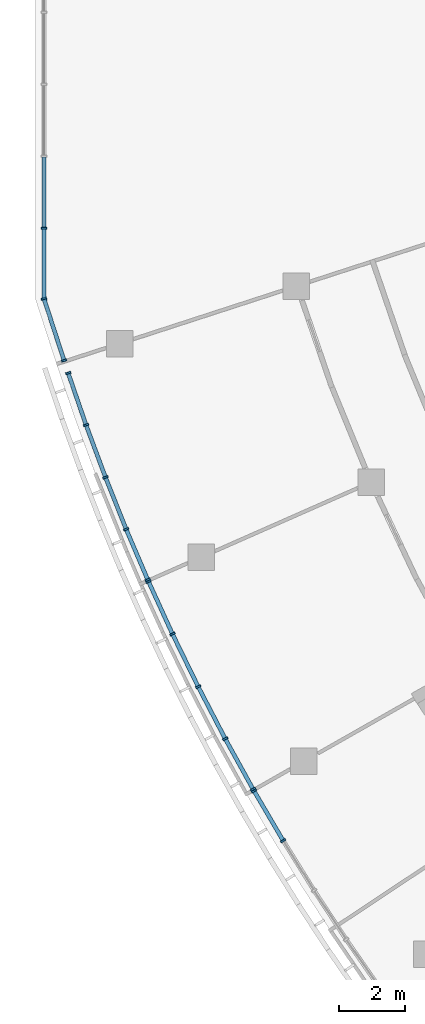
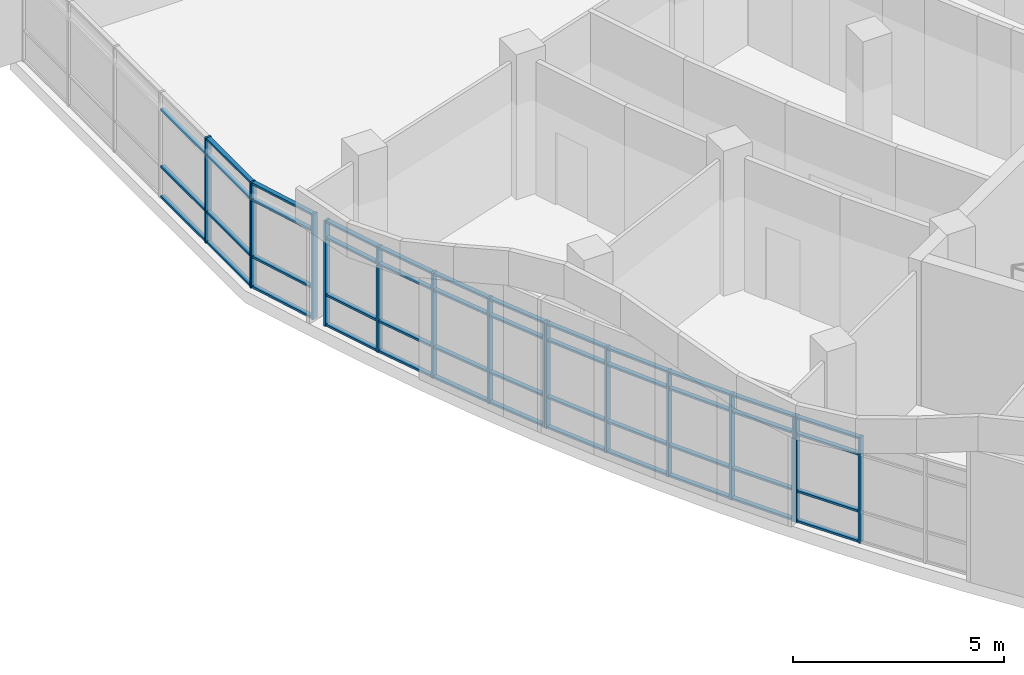
# One storey, part 19 of 109: 63 members, 5 elements without a shape of their own.
"""IFC4 building model written with IfcOpenShell, lengths in metres."""

from ifc_helpers import new_model, si_unit, direction, frame, origin, origin_2d, place, context, subcontext, project, spatial, rectangle, extrude, material, material_profile, profile_set, type_object, element, aggregate, save


model = new_model("IFC4")

# Units and contexts
model_context = context("Model", 3, precision=1e-05, world=origin(), true_north=direction((0.0, 1.0)))
body_context = subcontext(model_context, "Body", "Model", "MODEL_VIEW")
ifc_project = project(units=[si_unit("LENGTHUNIT", "METRE"), si_unit("AREAUNIT", "SQUARE_METRE"), si_unit("VOLUMEUNIT", "CUBIC_METRE"), si_unit("PLANEANGLEUNIT", "RADIAN"), si_unit("MASSUNIT", "GRAM", prefix="KILO")], contexts=[model_context])

# Site, building, storey
site_placement = place(None, origin())
site = spatial("IfcSite", under=ifc_project, at=site_placement, CompositionType="ELEMENT")
building_placement = place(site_placement, origin())
building = spatial("IfcBuilding", under=site, at=building_placement, Name="Bougainvillea Quay General Hospital", CompositionType="ELEMENT")
storey_placement = place(building_placement, frame((0.0, 0.0, 12.60009765625)))
storey = spatial("IfcBuildingStorey", under=building, at=storey_placement, Name="L02", CompositionType="ELEMENT", Elevation=12.60009765625)

# Curtain wall, members
ifc_material_1 = material(Name="Aluminium curtain wall system, powder-coated glazed", Category="aluminium")
curtain_wall_type_1 = type_object("IfcCurtainWallType", Name="Unitised curtain wall CW-2172", PredefinedType="NOTDEFINED", material=ifc_material_1)
curtain_wall_1_placement = place(storey_placement, origin())
curtain_wall_1 = element("IfcCurtainWall", 1, at=curtain_wall_1_placement, inside=storey, type_object=curtain_wall_type_1, Name="CW-AE 00", PredefinedType="NOTDEFINED")
ifc_material_2 = material(Name="Aluminium mullion, powder-coated charcoal", Category="aluminium")
ifc_material_profile_1 = material_profile(ifc_material_2, rectangle(XDim=0.159912109375, YDim=0.06005859375, at=origin_2d()))
ifc_profile_set_1 = profile_set([ifc_material_profile_1], Name="Aluminium mullion, powder-coated charcoal")
member_type_1 = type_object("IfcMemberType", Name="Curtain wall mullion 160x60", PredefinedType="MULLION", material=ifc_profile_set_1)
member_1_placement = place(storey_placement, frame((42.25, 108.4677734375, 0.0), z_axis=(0.0, 0.0, 1.0), x_axis=(1.0, 0.0, 0.0)))
member_1 = element("IfcMember", 2, at=member_1_placement, type_object=member_type_1, Name="CW-AE mullion 5", PredefinedType="MULLION", context=body_context, shape_type="SweptSolid", body=[
    extrude(rectangle(XDim=0.159912109375, YDim=0.06005859375, at=origin_2d()), origin(), (0.0, 0.0, 1.0), 3.0498046875),
])
member_2_placement = place(storey_placement, frame((42.25, 106.325927734375, 0.0), z_axis=(0.0, 0.0, 1.0), x_axis=(1.0, 0.0, 0.0)))
member_2 = element("IfcMember", 3, at=member_2_placement, type_object=member_type_1, Name="CW-AE mullion 6", PredefinedType="MULLION", context=body_context, shape_type="SweptSolid", body=[
    extrude(rectangle(XDim=0.159912109375, YDim=0.06005859375, at=origin_2d()), origin(), (0.0, 0.0, 1.0), 3.0498046875),
])

curtain_wall_type_2 = type_object("IfcCurtainWallType", Name="Unitised curtain wall CW-2027", PredefinedType="NOTDEFINED", material=ifc_material_1)
curtain_wall_2_placement = place(storey_placement, origin())
curtain_wall_2 = element("IfcCurtainWall", 4, at=curtain_wall_2_placement, inside=storey, type_object=curtain_wall_type_2, Name="CW-AE 00", PredefinedType="NOTDEFINED")
member_3_placement = place(storey_placement, frame((42.2470703125, 106.3447265625, 0.0), z_axis=(0.0, 0.0, 1.0), x_axis=(0.951073957858, 0.30896330961, 0.0)))
member_3 = element("IfcMember", 5, at=member_3_placement, type_object=member_type_1, Name="CW-AE mullion 1", PredefinedType="MULLION", context=body_context, shape_type="SweptSolid", body=[
    extrude(rectangle(XDim=0.159912109375, YDim=0.06005859375, at=origin_2d()), origin(), (0.0, 0.0, 1.0), 3.0498046875),
])
member_4_placement = place(storey_placement, frame((42.8544921875, 104.474853515625, 0.0), z_axis=(0.0, 0.0, 1.0), x_axis=(0.951073957858, 0.30896330961, 0.0)))
member_4 = element("IfcMember", 6, at=member_4_placement, type_object=member_type_1, Name="CW-AE mullion 2", PredefinedType="MULLION", context=body_context, shape_type="SweptSolid", body=[
    extrude(rectangle(XDim=0.159912109375, YDim=0.06005859375, at=origin_2d()), origin(), (0.0, 0.0, 1.0), 3.0498046875),
])

curtain_wall_type_3 = type_object("IfcCurtainWallType", Name="Unitised curtain wall CW-2100", PredefinedType="NOTDEFINED", material=ifc_material_1)
curtain_wall_3_placement = place(storey_placement, origin())
curtain_wall_3 = element("IfcCurtainWall", 7, at=curtain_wall_3_placement, inside=storey, type_object=curtain_wall_type_3, Name="CW-W06 a01b5", PredefinedType="NOTDEFINED")
member_5_placement = place(storey_placement, frame((49.46337890625, 89.99169921875, 0.0), z_axis=(0.0, 0.0, 1.0), x_axis=(-0.856438326455, -0.516249351553, 0.0)))
member_5 = element("IfcMember", 8, at=member_5_placement, type_object=member_type_1, Name="CW-W06 mullion 4", PredefinedType="MULLION", context=body_context, shape_type="SweptSolid", body=[
    extrude(rectangle(XDim=0.159912109375, YDim=0.06005859375, at=origin_2d()), origin(), (0.0, 0.0, 1.0), 3.0498046875),
])
member_6_placement = place(storey_placement, frame((48.584716796875, 91.491943359375, 0.0), z_axis=(0.0, 0.0, 1.0), x_axis=(-0.862915251166, -0.505348661129, 0.0)))
member_6 = element("IfcMember", 9, at=member_6_placement, type_object=member_type_1, Name="CW-W06 mullion 5", PredefinedType="MULLION", context=body_context, shape_type="SweptSolid", body=[
    extrude(rectangle(XDim=0.159912109375, YDim=0.06005859375, at=origin_2d()), origin(), (0.0, 0.0, 1.0), 3.0498046875),
])

curtain_wall_4_placement = place(storey_placement, origin())
curtain_wall_4 = element("IfcCurtainWall", 10, at=curtain_wall_4_placement, inside=storey, type_object=curtain_wall_type_3, Name="CW-W07 a01b6", PredefinedType="NOTDEFINED")
member_7_placement = place(storey_placement, frame((48.55517578125, 91.544189453125, 0.0), z_axis=(0.0, 0.0, 1.0), x_axis=(-0.875451874397, -0.483305302697, 0.0)))
member_7 = element("IfcMember", 11, at=member_7_placement, type_object=member_type_1, Name="CW-W07 mullion 1", PredefinedType="MULLION", context=body_context, shape_type="SweptSolid", body=[
    extrude(rectangle(XDim=0.159912109375, YDim=0.06005859375, at=origin_2d()), origin(), (0.0, 0.0, 1.0), 3.0498046875),
])
member_8_placement = place(storey_placement, frame((47.71484375, 93.06640625, 0.0), z_axis=(0.0, 0.0, 1.0), x_axis=(-0.881509557333, -0.472166178724, 0.0)))
member_8 = element("IfcMember", 12, at=member_8_placement, type_object=member_type_1, Name="CW-W07 mullion 2", PredefinedType="MULLION", context=body_context, shape_type="SweptSolid", body=[
    extrude(rectangle(XDim=0.159912109375, YDim=0.06005859375, at=origin_2d()), origin(), (0.0, 0.0, 1.0), 3.0498046875),
])
member_9_placement = place(storey_placement, frame((46.8994140625, 94.635986328125, 0.0), z_axis=(0.0, 0.0, 1.0), x_axis=(-0.893198796365, -0.449661995473, 0.0)))
member_9 = element("IfcMember", 13, at=member_9_placement, type_object=member_type_1, Name="CW-W07 mullion 3", PredefinedType="MULLION", context=body_context, shape_type="SweptSolid", body=[
    extrude(rectangle(XDim=0.159912109375, YDim=0.06005859375, at=origin_2d()), origin(), (0.0, 0.0, 1.0), 3.0498046875),
])
member_10_placement = place(storey_placement, frame((46.1240234375, 96.225830078125, 0.0), z_axis=(0.0, 0.0, 1.0), x_axis=(-0.904313640176, -0.426868645126, 0.0)))
member_10 = element("IfcMember", 14, at=member_10_placement, type_object=member_type_1, Name="CW-W07 mullion 4", PredefinedType="MULLION", context=body_context, shape_type="SweptSolid", body=[
    extrude(rectangle(XDim=0.159912109375, YDim=0.06005859375, at=origin_2d()), origin(), (0.0, 0.0, 1.0), 3.0498046875),
])
member_11_placement = place(storey_placement, frame((45.40185546875, 97.8076171875, 0.0), z_axis=(0.0, 0.0, 1.0), x_axis=(-0.909653415663, -0.415368105869, 0.0)))
member_11 = element("IfcMember", 15, at=member_11_placement, type_object=member_type_1, Name="CW-W07 mullion 5", PredefinedType="MULLION", context=body_context, shape_type="SweptSolid", body=[
    extrude(rectangle(XDim=0.159912109375, YDim=0.06005859375, at=origin_2d()), origin(), (0.0, 0.0, 1.0), 3.0498046875),
])

curtain_wall_5_placement = place(storey_placement, origin())
curtain_wall_5 = element("IfcCurtainWall", 16, at=curtain_wall_5_placement, inside=storey, type_object=curtain_wall_type_3, Name="CW-W08 a01b7", PredefinedType="NOTDEFINED")
member_12_placement = place(storey_placement, frame((45.377685546875, 97.862548828125, 0.0), z_axis=(0.0, 0.0, 1.0), x_axis=(-0.919658672607, -0.392718634519, 0.0)))
member_12 = element("IfcMember", 17, at=member_12_placement, type_object=member_type_1, Name="CW-W08 mullion 1", PredefinedType="MULLION", context=body_context, shape_type="SweptSolid", body=[
    extrude(rectangle(XDim=0.159912109375, YDim=0.06005859375, at=origin_2d()), origin(), (0.0, 0.0, 1.0), 3.0498046875),
])
member_13_placement = place(storey_placement, frame((44.7275390625, 99.384765625, 0.0), z_axis=(0.0, 0.0, 1.0), x_axis=(-0.924336164481, -0.381579159588, 0.0)))
member_13 = element("IfcMember", 18, at=member_13_placement, type_object=member_type_1, Name="CW-W08 mullion 2", PredefinedType="MULLION", context=body_context, shape_type="SweptSolid", body=[
    extrude(rectangle(XDim=0.159912109375, YDim=0.06005859375, at=origin_2d()), origin(), (0.0, 0.0, 1.0), 3.0498046875),
])
member_14_placement = place(storey_placement, frame((44.103271484375, 100.950439453125, 0.0), z_axis=(0.0, 0.0, 1.0), x_axis=(-0.9332857179, -0.359134750148, 0.0)))
member_14 = element("IfcMember", 19, at=member_14_placement, type_object=member_type_1, Name="CW-W08 mullion 3", PredefinedType="MULLION", context=body_context, shape_type="SweptSolid", body=[
    extrude(rectangle(XDim=0.159912109375, YDim=0.06005859375, at=origin_2d()), origin(), (0.0, 0.0, 1.0), 3.0498046875),
])
member_15_placement = place(storey_placement, frame((43.51708984375, 102.530517578125, 0.0), z_axis=(0.0, 0.0, 1.0), x_axis=(-0.941690376159, -0.336480661329, 0.0)))
member_15 = element("IfcMember", 20, at=member_15_placement, type_object=member_type_1, Name="CW-W08 mullion 4", PredefinedType="MULLION", context=body_context, shape_type="SweptSolid", body=[
    extrude(rectangle(XDim=0.159912109375, YDim=0.06005859375, at=origin_2d()), origin(), (0.0, 0.0, 1.0), 3.0498046875),
])
member_16_placement = place(storey_placement, frame((42.97900390625, 104.095947265625, 0.0), z_axis=(0.0, 0.0, 1.0), x_axis=(-0.945686823657, -0.325079115849, 0.0)))
member_16 = element("IfcMember", 21, at=member_16_placement, type_object=member_type_1, Name="CW-W08 mullion 5", PredefinedType="MULLION", context=body_context, shape_type="SweptSolid", body=[
    extrude(rectangle(XDim=0.159912109375, YDim=0.06005859375, at=origin_2d()), origin(), (0.0, 0.0, 1.0), 3.0498046875),
])

# Member
ifc_material_3 = material(Name="Aluminium transom, powder-coated charcoal", Category="aluminium")
ifc_material_profile_2 = material_profile(ifc_material_3, rectangle(XDim=0.1201171875, YDim=0.06005859375, at=origin_2d()))
ifc_profile_set_2 = profile_set([ifc_material_profile_2], Name="Aluminium transom, powder-coated charcoal")
member_type_2 = type_object("IfcMemberType", Name="Curtain wall transom 120x60", PredefinedType="USERDEFINED", material=ifc_profile_set_2)
member_17_placement = place(storey_placement, frame((42.25, 110.609619140625, 0.02978515625), z_axis=(0.0, -1.0, 0.0), x_axis=(1.0, 0.0, 0.0)))
member_17 = element("IfcMember", 22, at=member_17_placement, type_object=member_type_2, Name="CW-AE transom 4.1", ObjectType="TRANSOM", PredefinedType="USERDEFINED", context=body_context, shape_type="SweptSolid", body=[
    extrude(rectangle(XDim=0.1201171875, YDim=0.06005859375, at=origin_2d()), origin(), (0.0, 0.0, 1.0), 2.11181640625),
])

member_18_placement = place(storey_placement, frame((42.25, 110.609619140625, 0.89990234375), z_axis=(0.0, -1.0, 0.0), x_axis=(1.0, 0.0, 0.0)))
member_18 = element("IfcMember", 23, at=member_18_placement, type_object=member_type_2, Name="CW-AE transom 4.2", ObjectType="TRANSOM", PredefinedType="USERDEFINED", context=body_context, shape_type="SweptSolid", body=[
    extrude(rectangle(XDim=0.1201171875, YDim=0.06005859375, at=origin_2d()), origin(), (0.0, 0.0, 1.0), 2.11181640625),
])

member_19_placement = place(storey_placement, frame((42.25, 110.609619140625, 2.5498046875), z_axis=(0.0, -1.0, 0.0), x_axis=(1.0, 0.0, 0.0)))
member_19 = element("IfcMember", 24, at=member_19_placement, type_object=member_type_2, Name="CW-AE transom 4.3", ObjectType="TRANSOM", PredefinedType="USERDEFINED", context=body_context, shape_type="SweptSolid", body=[
    extrude(rectangle(XDim=0.1201171875, YDim=0.06005859375, at=origin_2d()), origin(), (0.0, 0.0, 1.0), 2.11181640625),
])

member_20_placement = place(storey_placement, frame((42.25, 108.437744140625, 0.02978515625), z_axis=(0.0, -1.0, 0.0), x_axis=(1.0, 0.0, 0.0)))
member_20 = element("IfcMember", 25, at=member_20_placement, type_object=member_type_2, Name="CW-AE transom 5.1", ObjectType="TRANSOM", PredefinedType="USERDEFINED", context=body_context, shape_type="SweptSolid", body=[
    extrude(rectangle(XDim=0.1201171875, YDim=0.06005859375, at=origin_2d()), origin(), (0.0, 0.0, 1.0), 2.081787109375),
])

member_21_placement = place(storey_placement, frame((42.25, 108.437744140625, 0.89990234375), z_axis=(0.0, -1.0, 0.0), x_axis=(1.0, 0.0, 0.0)))
member_21 = element("IfcMember", 26, at=member_21_placement, type_object=member_type_2, Name="CW-AE transom 5.2", ObjectType="TRANSOM", PredefinedType="USERDEFINED", context=body_context, shape_type="SweptSolid", body=[
    extrude(rectangle(XDim=0.1201171875, YDim=0.06005859375, at=origin_2d()), origin(), (0.0, 0.0, 1.0), 2.081787109375),
])

member_22_placement = place(storey_placement, frame((42.25, 108.437744140625, 2.5498046875), z_axis=(0.0, -1.0, 0.0), x_axis=(1.0, 0.0, 0.0)))
member_22 = element("IfcMember", 27, at=member_22_placement, type_object=member_type_2, Name="CW-AE transom 5.3", ObjectType="TRANSOM", PredefinedType="USERDEFINED", context=body_context, shape_type="SweptSolid", body=[
    extrude(rectangle(XDim=0.1201171875, YDim=0.06005859375, at=origin_2d()), origin(), (0.0, 0.0, 1.0), 2.081787109375),
])

member_23_placement = place(storey_placement, frame((42.25, 108.437744140625, 3.02001953125), z_axis=(0.0, -1.0, 0.0), x_axis=(1.0, 0.0, 0.0)))
member_23 = element("IfcMember", 28, at=member_23_placement, type_object=member_type_2, Name="CW-AE transom 5.4", ObjectType="TRANSOM", PredefinedType="USERDEFINED", context=body_context, shape_type="SweptSolid", body=[
    extrude(rectangle(XDim=0.1201171875, YDim=0.06005859375, at=origin_2d()), origin(), (0.0, 0.0, 1.0), 2.081787109375),
])

aggregate(curtain_wall_1, [member_1, member_2, member_17, member_18, member_19, member_20, member_21, member_22, member_23])

member_24_placement = place(storey_placement, frame((42.25634765625, 106.316162109375, 0.02978515625), z_axis=(0.308955733663, -0.951076418926, 0.0), x_axis=(0.951076418926, 0.308955733663, 0.0)))
member_24 = element("IfcMember", 29, at=member_24_placement, type_object=member_type_2, Name="CW-AE transom 1.1", ObjectType="TRANSOM", PredefinedType="USERDEFINED", context=body_context, shape_type="SweptSolid", body=[
    extrude(rectangle(XDim=0.1201171875, YDim=0.06005859375, at=origin_2d()), origin(), (0.0, 0.0, 1.0), 1.906005859375),
])

member_25_placement = place(storey_placement, frame((42.25634765625, 106.316162109375, 0.89990234375), z_axis=(0.308955733663, -0.951076418926, 0.0), x_axis=(0.951076418926, 0.308955733663, 0.0)))
member_25 = element("IfcMember", 30, at=member_25_placement, type_object=member_type_2, Name="CW-AE transom 1.2", ObjectType="TRANSOM", PredefinedType="USERDEFINED", context=body_context, shape_type="SweptSolid", body=[
    extrude(rectangle(XDim=0.1201171875, YDim=0.06005859375, at=origin_2d()), origin(), (0.0, 0.0, 1.0), 1.906005859375),
])

member_26_placement = place(storey_placement, frame((42.25634765625, 106.316162109375, 2.5498046875), z_axis=(0.308955733663, -0.951076418926, 0.0), x_axis=(0.951076418926, 0.308955733663, 0.0)))
member_26 = element("IfcMember", 31, at=member_26_placement, type_object=member_type_2, Name="CW-AE transom 1.3", ObjectType="TRANSOM", PredefinedType="USERDEFINED", context=body_context, shape_type="SweptSolid", body=[
    extrude(rectangle(XDim=0.1201171875, YDim=0.06005859375, at=origin_2d()), origin(), (0.0, 0.0, 1.0), 1.906005859375),
])

member_27_placement = place(storey_placement, frame((42.25634765625, 106.316162109375, 3.02001953125), z_axis=(0.308955733663, -0.951076418926, 0.0), x_axis=(0.951076418926, 0.308955733663, 0.0)))
member_27 = element("IfcMember", 32, at=member_27_placement, type_object=member_type_2, Name="CW-AE transom 1.4", ObjectType="TRANSOM", PredefinedType="USERDEFINED", context=body_context, shape_type="SweptSolid", body=[
    extrude(rectangle(XDim=0.1201171875, YDim=0.06005859375, at=origin_2d()), origin(), (0.0, 0.0, 1.0), 1.906005859375),
])

aggregate(curtain_wall_2, [member_3, member_4, member_24, member_25, member_26, member_27])

member_28_placement = place(storey_placement, frame((49.4482421875, 90.017578125, 0.02978515625), z_axis=(-0.505398470554, 0.862886079365, 0.0), x_axis=(-0.862886079365, -0.505398470554, 0.0)))
member_28 = element("IfcMember", 33, at=member_28_placement, type_object=member_type_2, Name="CW-W06 transom 4.1", ObjectType="TRANSOM", PredefinedType="USERDEFINED", context=body_context, shape_type="SweptSolid", body=[
    extrude(rectangle(XDim=0.1201171875, YDim=0.06005859375, at=origin_2d()), origin(), (0.0, 0.0, 1.0), 1.6787109375),
])

member_29_placement = place(storey_placement, frame((49.4482421875, 90.017578125, 0.89990234375), z_axis=(-0.505398470554, 0.862886079365, 0.0), x_axis=(-0.862886079365, -0.505398470554, 0.0)))
member_29 = element("IfcMember", 34, at=member_29_placement, type_object=member_type_2, Name="CW-W06 transom 4.2", ObjectType="TRANSOM", PredefinedType="USERDEFINED", context=body_context, shape_type="SweptSolid", body=[
    extrude(rectangle(XDim=0.1201171875, YDim=0.06005859375, at=origin_2d()), origin(), (0.0, 0.0, 1.0), 1.6787109375),
])

member_30_placement = place(storey_placement, frame((49.4482421875, 90.017578125, 2.5498046875), z_axis=(-0.505398470554, 0.862886079365, 0.0), x_axis=(-0.862886079365, -0.505398470554, 0.0)))
member_30 = element("IfcMember", 35, at=member_30_placement, type_object=member_type_2, Name="CW-W06 transom 4.3", ObjectType="TRANSOM", PredefinedType="USERDEFINED", context=body_context, shape_type="SweptSolid", body=[
    extrude(rectangle(XDim=0.1201171875, YDim=0.06005859375, at=origin_2d()), origin(), (0.0, 0.0, 1.0), 1.6787109375),
])

member_31_placement = place(storey_placement, frame((49.4482421875, 90.017578125, 3.02001953125), z_axis=(-0.505398470554, 0.862886079365, 0.0), x_axis=(-0.862886079365, -0.505398470554, 0.0)))
member_31 = element("IfcMember", 36, at=member_31_placement, type_object=member_type_2, Name="CW-W06 transom 4.4", ObjectType="TRANSOM", PredefinedType="USERDEFINED", context=body_context, shape_type="SweptSolid", body=[
    extrude(rectangle(XDim=0.1201171875, YDim=0.06005859375, at=origin_2d()), origin(), (0.0, 0.0, 1.0), 1.6787109375),
])

aggregate(curtain_wall_3, [member_5, member_6, member_28, member_29, member_30, member_31])

member_32_placement = place(storey_placement, frame((48.54052734375, 91.570556640625, 0.02978515625), z_axis=(-0.483319558897, 0.875444003913, 0.0), x_axis=(-0.875444003913, -0.483319558897, 0.0)))
member_32 = element("IfcMember", 37, at=member_32_placement, type_object=member_type_2, Name="CW-W07 transom 1.1", ObjectType="TRANSOM", PredefinedType="USERDEFINED", context=body_context, shape_type="SweptSolid", body=[
    extrude(rectangle(XDim=0.1201171875, YDim=0.06005859375, at=origin_2d()), origin(), (0.0, 0.0, 1.0), 1.678466796875),
])

member_33_placement = place(storey_placement, frame((48.54052734375, 91.570556640625, 0.89990234375), z_axis=(-0.483319558897, 0.875444003913, 0.0), x_axis=(-0.875444003913, -0.483319558897, 0.0)))
member_33 = element("IfcMember", 38, at=member_33_placement, type_object=member_type_2, Name="CW-W07 transom 1.2", ObjectType="TRANSOM", PredefinedType="USERDEFINED", context=body_context, shape_type="SweptSolid", body=[
    extrude(rectangle(XDim=0.1201171875, YDim=0.06005859375, at=origin_2d()), origin(), (0.0, 0.0, 1.0), 1.678466796875),
])

member_34_placement = place(storey_placement, frame((48.54052734375, 91.570556640625, 2.5498046875), z_axis=(-0.483319558897, 0.875444003913, 0.0), x_axis=(-0.875444003913, -0.483319558897, 0.0)))
member_34 = element("IfcMember", 39, at=member_34_placement, type_object=member_type_2, Name="CW-W07 transom 1.3", ObjectType="TRANSOM", PredefinedType="USERDEFINED", context=body_context, shape_type="SweptSolid", body=[
    extrude(rectangle(XDim=0.1201171875, YDim=0.06005859375, at=origin_2d()), origin(), (0.0, 0.0, 1.0), 1.678466796875),
])

member_35_placement = place(storey_placement, frame((48.54052734375, 91.570556640625, 3.02001953125), z_axis=(-0.483319558897, 0.875444003913, 0.0), x_axis=(-0.875444003913, -0.483319558897, 0.0)))
member_35 = element("IfcMember", 40, at=member_35_placement, type_object=member_type_2, Name="CW-W07 transom 1.4", ObjectType="TRANSOM", PredefinedType="USERDEFINED", context=body_context, shape_type="SweptSolid", body=[
    extrude(rectangle(XDim=0.1201171875, YDim=0.06005859375, at=origin_2d()), origin(), (0.0, 0.0, 1.0), 1.678466796875),
])

member_36_placement = place(storey_placement, frame((47.700927734375, 93.093017578125, 0.02978515625), z_axis=(-0.460934299369, 0.887434263292, 0.0), x_axis=(-0.887434263292, -0.460934299369, 0.0)))
member_36 = element("IfcMember", 41, at=member_36_placement, type_object=member_type_2, Name="CW-W07 transom 2.1", ObjectType="TRANSOM", PredefinedType="USERDEFINED", context=body_context, shape_type="SweptSolid", body=[
    extrude(rectangle(XDim=0.1201171875, YDim=0.06005859375, at=origin_2d()), origin(), (0.0, 0.0, 1.0), 1.708740234375),
])

member_37_placement = place(storey_placement, frame((47.700927734375, 93.093017578125, 0.89990234375), z_axis=(-0.460934299369, 0.887434263292, 0.0), x_axis=(-0.887434263292, -0.460934299369, 0.0)))
member_37 = element("IfcMember", 42, at=member_37_placement, type_object=member_type_2, Name="CW-W07 transom 2.2", ObjectType="TRANSOM", PredefinedType="USERDEFINED", context=body_context, shape_type="SweptSolid", body=[
    extrude(rectangle(XDim=0.1201171875, YDim=0.06005859375, at=origin_2d()), origin(), (0.0, 0.0, 1.0), 1.708740234375),
])

member_38_placement = place(storey_placement, frame((47.700927734375, 93.093017578125, 2.5498046875), z_axis=(-0.460934299369, 0.887434263292, 0.0), x_axis=(-0.887434263292, -0.460934299369, 0.0)))
member_38 = element("IfcMember", 43, at=member_38_placement, type_object=member_type_2, Name="CW-W07 transom 2.3", ObjectType="TRANSOM", PredefinedType="USERDEFINED", context=body_context, shape_type="SweptSolid", body=[
    extrude(rectangle(XDim=0.1201171875, YDim=0.06005859375, at=origin_2d()), origin(), (0.0, 0.0, 1.0), 1.708740234375),
])

member_39_placement = place(storey_placement, frame((47.700927734375, 93.093017578125, 3.02001953125), z_axis=(-0.460934299369, 0.887434263292, 0.0), x_axis=(-0.887434263292, -0.460934299369, 0.0)))
member_39 = element("IfcMember", 44, at=member_39_placement, type_object=member_type_2, Name="CW-W07 transom 2.4", ObjectType="TRANSOM", PredefinedType="USERDEFINED", context=body_context, shape_type="SweptSolid", body=[
    extrude(rectangle(XDim=0.1201171875, YDim=0.06005859375, at=origin_2d()), origin(), (0.0, 0.0, 1.0), 1.708740234375),
])

member_40_placement = place(storey_placement, frame((46.88623046875, 94.6630859375, 0.02978515625), z_axis=(-0.4383335534, 0.898812380847, 0.0), x_axis=(-0.898812380847, -0.4383335534, 0.0)))
member_40 = element("IfcMember", 45, at=member_40_placement, type_object=member_type_2, Name="CW-W07 transom 3.1", ObjectType="TRANSOM", PredefinedType="USERDEFINED", context=body_context, shape_type="SweptSolid", body=[
    extrude(rectangle(XDim=0.1201171875, YDim=0.06005859375, at=origin_2d()), origin(), (0.0, 0.0, 1.0), 1.708740234375),
])

member_41_placement = place(storey_placement, frame((46.88623046875, 94.6630859375, 0.89990234375), z_axis=(-0.4383335534, 0.898812380847, 0.0), x_axis=(-0.898812380847, -0.4383335534, 0.0)))
member_41 = element("IfcMember", 46, at=member_41_placement, type_object=member_type_2, Name="CW-W07 transom 3.2", ObjectType="TRANSOM", PredefinedType="USERDEFINED", context=body_context, shape_type="SweptSolid", body=[
    extrude(rectangle(XDim=0.1201171875, YDim=0.06005859375, at=origin_2d()), origin(), (0.0, 0.0, 1.0), 1.708740234375),
])

member_42_placement = place(storey_placement, frame((46.88623046875, 94.6630859375, 2.5498046875), z_axis=(-0.4383335534, 0.898812380847, 0.0), x_axis=(-0.898812380847, -0.4383335534, 0.0)))
member_42 = element("IfcMember", 47, at=member_42_placement, type_object=member_type_2, Name="CW-W07 transom 3.3", ObjectType="TRANSOM", PredefinedType="USERDEFINED", context=body_context, shape_type="SweptSolid", body=[
    extrude(rectangle(XDim=0.1201171875, YDim=0.06005859375, at=origin_2d()), origin(), (0.0, 0.0, 1.0), 1.708740234375),
])

member_43_placement = place(storey_placement, frame((46.88623046875, 94.6630859375, 3.02001953125), z_axis=(-0.4383335534, 0.898812380847, 0.0), x_axis=(-0.898812380847, -0.4383335534, 0.0)))
member_43 = element("IfcMember", 48, at=member_43_placement, type_object=member_type_2, Name="CW-W07 transom 3.4", ObjectType="TRANSOM", PredefinedType="USERDEFINED", context=body_context, shape_type="SweptSolid", body=[
    extrude(rectangle(XDim=0.1201171875, YDim=0.06005859375, at=origin_2d()), origin(), (0.0, 0.0, 1.0), 1.708740234375),
])

member_44_placement = place(storey_placement, frame((46.111572265625, 96.253173828125, 0.02978515625), z_axis=(-0.415347290214, 0.909662920269, 0.0), x_axis=(-0.909662920269, -0.415347290214, 0.0)))
member_44 = element("IfcMember", 49, at=member_44_placement, type_object=member_type_2, Name="CW-W07 transom 4.1", ObjectType="TRANSOM", PredefinedType="USERDEFINED", context=body_context, shape_type="SweptSolid", body=[
    extrude(rectangle(XDim=0.1201171875, YDim=0.06005859375, at=origin_2d()), origin(), (0.0, 0.0, 1.0), 1.6787109375),
])

member_45_placement = place(storey_placement, frame((46.111572265625, 96.253173828125, 0.89990234375), z_axis=(-0.415347290214, 0.909662920269, 0.0), x_axis=(-0.909662920269, -0.415347290214, 0.0)))
member_45 = element("IfcMember", 50, at=member_45_placement, type_object=member_type_2, Name="CW-W07 transom 4.2", ObjectType="TRANSOM", PredefinedType="USERDEFINED", context=body_context, shape_type="SweptSolid", body=[
    extrude(rectangle(XDim=0.1201171875, YDim=0.06005859375, at=origin_2d()), origin(), (0.0, 0.0, 1.0), 1.6787109375),
])

member_46_placement = place(storey_placement, frame((46.111572265625, 96.253173828125, 2.5498046875), z_axis=(-0.415347290214, 0.909662920269, 0.0), x_axis=(-0.909662920269, -0.415347290214, 0.0)))
member_46 = element("IfcMember", 51, at=member_46_placement, type_object=member_type_2, Name="CW-W07 transom 4.3", ObjectType="TRANSOM", PredefinedType="USERDEFINED", context=body_context, shape_type="SweptSolid", body=[
    extrude(rectangle(XDim=0.1201171875, YDim=0.06005859375, at=origin_2d()), origin(), (0.0, 0.0, 1.0), 1.6787109375),
])

member_47_placement = place(storey_placement, frame((46.111572265625, 96.253173828125, 3.02001953125), z_axis=(-0.415347290214, 0.909662920269, 0.0), x_axis=(-0.909662920269, -0.415347290214, 0.0)))
member_47 = element("IfcMember", 52, at=member_47_placement, type_object=member_type_2, Name="CW-W07 transom 4.4", ObjectType="TRANSOM", PredefinedType="USERDEFINED", context=body_context, shape_type="SweptSolid", body=[
    extrude(rectangle(XDim=0.1201171875, YDim=0.06005859375, at=origin_2d()), origin(), (0.0, 0.0, 1.0), 1.6787109375),
])

aggregate(curtain_wall_4, [member_7, member_8, member_9, member_10, member_11, member_32, member_33, member_34, member_35, member_36, member_37, member_38, member_39, member_40, member_41, member_42, member_43, member_44, member_45, member_46, member_47])

member_48_placement = place(storey_placement, frame((45.365966796875, 97.89013671875, 0.02978515625), z_axis=(-0.392847767155, 0.919603518828, 0.0), x_axis=(-0.919603518828, -0.392847767155, 0.0)))
member_48 = element("IfcMember", 53, at=member_48_placement, type_object=member_type_2, Name="CW-W08 transom 1.1", ObjectType="TRANSOM", PredefinedType="USERDEFINED", context=body_context, shape_type="SweptSolid", body=[
    extrude(rectangle(XDim=0.1201171875, YDim=0.06005859375, at=origin_2d()), origin(), (0.0, 0.0, 1.0), 1.59521484375),
])

member_49_placement = place(storey_placement, frame((45.365966796875, 97.89013671875, 0.89990234375), z_axis=(-0.392847767155, 0.919603518828, 0.0), x_axis=(-0.919603518828, -0.392847767155, 0.0)))
member_49 = element("IfcMember", 54, at=member_49_placement, type_object=member_type_2, Name="CW-W08 transom 1.2", ObjectType="TRANSOM", PredefinedType="USERDEFINED", context=body_context, shape_type="SweptSolid", body=[
    extrude(rectangle(XDim=0.1201171875, YDim=0.06005859375, at=origin_2d()), origin(), (0.0, 0.0, 1.0), 1.59521484375),
])

member_50_placement = place(storey_placement, frame((45.365966796875, 97.89013671875, 2.5498046875), z_axis=(-0.392847767155, 0.919603518828, 0.0), x_axis=(-0.919603518828, -0.392847767155, 0.0)))
member_50 = element("IfcMember", 55, at=member_50_placement, type_object=member_type_2, Name="CW-W08 transom 1.3", ObjectType="TRANSOM", PredefinedType="USERDEFINED", context=body_context, shape_type="SweptSolid", body=[
    extrude(rectangle(XDim=0.1201171875, YDim=0.06005859375, at=origin_2d()), origin(), (0.0, 0.0, 1.0), 1.59521484375),
])

member_51_placement = place(storey_placement, frame((45.365966796875, 97.89013671875, 3.02001953125), z_axis=(-0.392847767155, 0.919603518828, 0.0), x_axis=(-0.919603518828, -0.392847767155, 0.0)))
member_51 = element("IfcMember", 56, at=member_51_placement, type_object=member_type_2, Name="CW-W08 transom 1.4", ObjectType="TRANSOM", PredefinedType="USERDEFINED", context=body_context, shape_type="SweptSolid", body=[
    extrude(rectangle(XDim=0.1201171875, YDim=0.06005859375, at=origin_2d()), origin(), (0.0, 0.0, 1.0), 1.59521484375),
])

member_52_placement = place(storey_placement, frame((44.716552734375, 99.412841796875, 0.02978515625), z_axis=(-0.370406363802, 0.928869810929, 0.0), x_axis=(-0.928869810929, -0.370406363802, 0.0)))
member_52 = element("IfcMember", 57, at=member_52_placement, type_object=member_type_2, Name="CW-W08 transom 2.1", ObjectType="TRANSOM", PredefinedType="USERDEFINED", context=body_context, shape_type="SweptSolid", body=[
    extrude(rectangle(XDim=0.1201171875, YDim=0.06005859375, at=origin_2d()), origin(), (0.0, 0.0, 1.0), 1.62548828125),
])

member_53_placement = place(storey_placement, frame((44.716552734375, 99.412841796875, 0.89990234375), z_axis=(-0.370406363802, 0.928869810929, 0.0), x_axis=(-0.928869810929, -0.370406363802, 0.0)))
member_53 = element("IfcMember", 58, at=member_53_placement, type_object=member_type_2, Name="CW-W08 transom 2.2", ObjectType="TRANSOM", PredefinedType="USERDEFINED", context=body_context, shape_type="SweptSolid", body=[
    extrude(rectangle(XDim=0.1201171875, YDim=0.06005859375, at=origin_2d()), origin(), (0.0, 0.0, 1.0), 1.62548828125),
])

member_54_placement = place(storey_placement, frame((44.716552734375, 99.412841796875, 2.5498046875), z_axis=(-0.370406363802, 0.928869810929, 0.0), x_axis=(-0.928869810929, -0.370406363802, 0.0)))
member_54 = element("IfcMember", 59, at=member_54_placement, type_object=member_type_2, Name="CW-W08 transom 2.3", ObjectType="TRANSOM", PredefinedType="USERDEFINED", context=body_context, shape_type="SweptSolid", body=[
    extrude(rectangle(XDim=0.1201171875, YDim=0.06005859375, at=origin_2d()), origin(), (0.0, 0.0, 1.0), 1.62548828125),
])

member_55_placement = place(storey_placement, frame((44.716552734375, 99.412841796875, 3.02001953125), z_axis=(-0.370406363802, 0.928869810929, 0.0), x_axis=(-0.928869810929, -0.370406363802, 0.0)))
member_55 = element("IfcMember", 60, at=member_55_placement, type_object=member_type_2, Name="CW-W08 transom 2.4", ObjectType="TRANSOM", PredefinedType="USERDEFINED", context=body_context, shape_type="SweptSolid", body=[
    extrude(rectangle(XDim=0.1201171875, YDim=0.06005859375, at=origin_2d()), origin(), (0.0, 0.0, 1.0), 1.62548828125),
])

member_56_placement = place(storey_placement, frame((44.093017578125, 100.978515625, 0.02978515625), z_axis=(-0.347862189765, 0.937545677251, 0.0), x_axis=(-0.937545677251, -0.347862189765, 0.0)))
member_56 = element("IfcMember", 61, at=member_56_placement, type_object=member_type_2, Name="CW-W08 transom 3.1", ObjectType="TRANSOM", PredefinedType="USERDEFINED", context=body_context, shape_type="SweptSolid", body=[
    extrude(rectangle(XDim=0.1201171875, YDim=0.06005859375, at=origin_2d()), origin(), (0.0, 0.0, 1.0), 1.62548828125),
])

member_57_placement = place(storey_placement, frame((44.093017578125, 100.978515625, 0.89990234375), z_axis=(-0.347862189765, 0.937545677251, 0.0), x_axis=(-0.937545677251, -0.347862189765, 0.0)))
member_57 = element("IfcMember", 62, at=member_57_placement, type_object=member_type_2, Name="CW-W08 transom 3.2", ObjectType="TRANSOM", PredefinedType="USERDEFINED", context=body_context, shape_type="SweptSolid", body=[
    extrude(rectangle(XDim=0.1201171875, YDim=0.06005859375, at=origin_2d()), origin(), (0.0, 0.0, 1.0), 1.62548828125),
])

member_58_placement = place(storey_placement, frame((44.093017578125, 100.978515625, 2.5498046875), z_axis=(-0.347862189765, 0.937545677251, 0.0), x_axis=(-0.937545677251, -0.347862189765, 0.0)))
member_58 = element("IfcMember", 63, at=member_58_placement, type_object=member_type_2, Name="CW-W08 transom 3.3", ObjectType="TRANSOM", PredefinedType="USERDEFINED", context=body_context, shape_type="SweptSolid", body=[
    extrude(rectangle(XDim=0.1201171875, YDim=0.06005859375, at=origin_2d()), origin(), (0.0, 0.0, 1.0), 1.62548828125),
])

member_59_placement = place(storey_placement, frame((44.093017578125, 100.978515625, 3.02001953125), z_axis=(-0.347862189765, 0.937545677251, 0.0), x_axis=(-0.937545677251, -0.347862189765, 0.0)))
member_59 = element("IfcMember", 64, at=member_59_placement, type_object=member_type_2, Name="CW-W08 transom 3.4", ObjectType="TRANSOM", PredefinedType="USERDEFINED", context=body_context, shape_type="SweptSolid", body=[
    extrude(rectangle(XDim=0.1201171875, YDim=0.06005859375, at=origin_2d()), origin(), (0.0, 0.0, 1.0), 1.62548828125),
])

member_60_placement = place(storey_placement, frame((43.50732421875, 102.558837890625, 0.02978515625), z_axis=(-0.325028447329, 0.945704239404, 0.0), x_axis=(-0.945704239404, -0.325028447329, 0.0)))
member_60 = element("IfcMember", 65, at=member_60_placement, type_object=member_type_2, Name="CW-W08 transom 4.1", ObjectType="TRANSOM", PredefinedType="USERDEFINED", context=body_context, shape_type="SweptSolid", body=[
    extrude(rectangle(XDim=0.1201171875, YDim=0.06005859375, at=origin_2d()), origin(), (0.0, 0.0, 1.0), 1.595458984375),
])

member_61_placement = place(storey_placement, frame((43.50732421875, 102.558837890625, 0.89990234375), z_axis=(-0.325028447329, 0.945704239404, 0.0), x_axis=(-0.945704239404, -0.325028447329, 0.0)))
member_61 = element("IfcMember", 66, at=member_61_placement, type_object=member_type_2, Name="CW-W08 transom 4.2", ObjectType="TRANSOM", PredefinedType="USERDEFINED", context=body_context, shape_type="SweptSolid", body=[
    extrude(rectangle(XDim=0.1201171875, YDim=0.06005859375, at=origin_2d()), origin(), (0.0, 0.0, 1.0), 1.595458984375),
])

member_62_placement = place(storey_placement, frame((43.50732421875, 102.558837890625, 2.5498046875), z_axis=(-0.325028447329, 0.945704239404, 0.0), x_axis=(-0.945704239404, -0.325028447329, 0.0)))
member_62 = element("IfcMember", 67, at=member_62_placement, type_object=member_type_2, Name="CW-W08 transom 4.3", ObjectType="TRANSOM", PredefinedType="USERDEFINED", context=body_context, shape_type="SweptSolid", body=[
    extrude(rectangle(XDim=0.1201171875, YDim=0.06005859375, at=origin_2d()), origin(), (0.0, 0.0, 1.0), 1.595458984375),
])

member_63_placement = place(storey_placement, frame((43.50732421875, 102.558837890625, 3.02001953125), z_axis=(-0.325028447329, 0.945704239404, 0.0), x_axis=(-0.945704239404, -0.325028447329, 0.0)))
member_63 = element("IfcMember", 68, at=member_63_placement, type_object=member_type_2, Name="CW-W08 transom 4.4", ObjectType="TRANSOM", PredefinedType="USERDEFINED", context=body_context, shape_type="SweptSolid", body=[
    extrude(rectangle(XDim=0.1201171875, YDim=0.06005859375, at=origin_2d()), origin(), (0.0, 0.0, 1.0), 1.595458984375),
])

aggregate(curtain_wall_5, [member_12, member_13, member_14, member_15, member_16, member_48, member_49, member_50, member_51, member_52, member_53, member_54, member_55, member_56, member_57, member_58, member_59, member_60, member_61, member_62, member_63])

save(model, "model.ifc")
